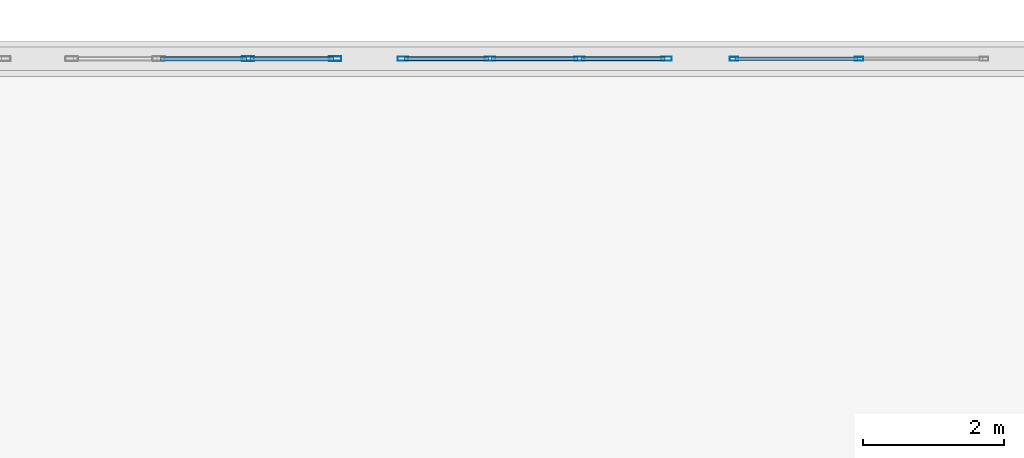
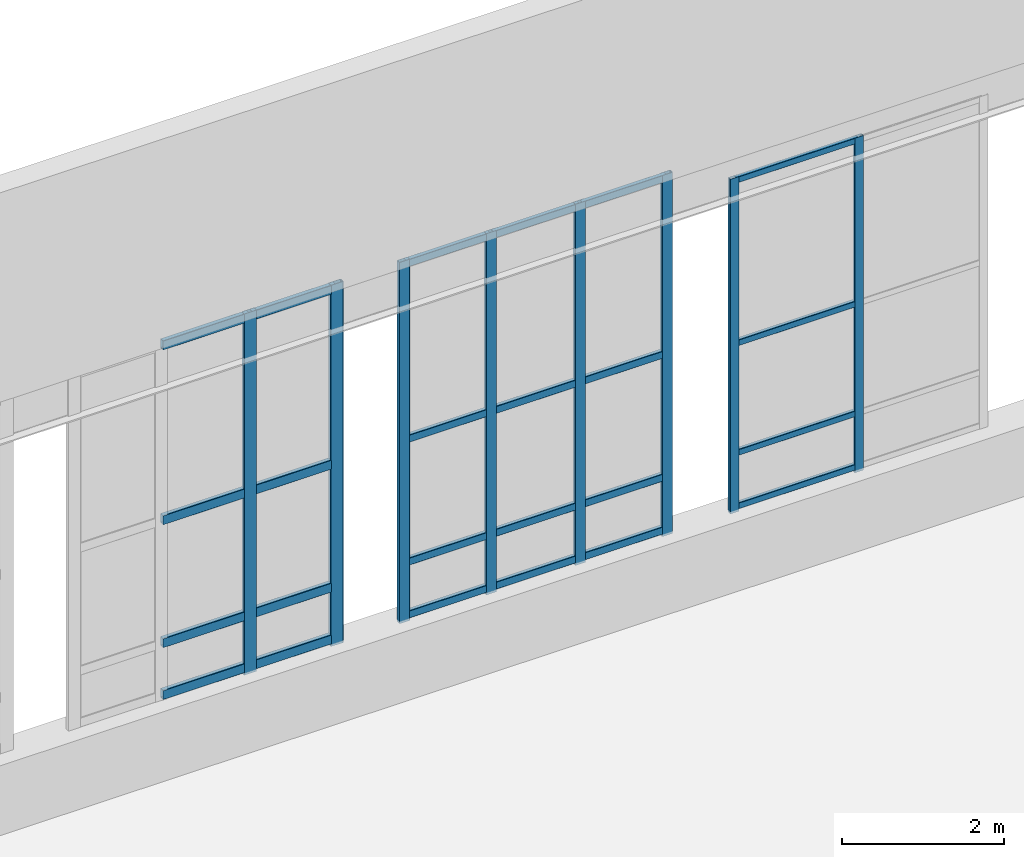
# One storey, part 151 of 197: 32 members, 3 elements without a shape of their own.
"""IFC4 building model written with IfcOpenShell, lengths in metres."""

from ifc_helpers import new_model, si_unit, derived_unit, direction, frame, origin, origin_2d, place, context, subcontext, project, spatial, hollow_rectangle, extrude, material, layer, layer_set, material_profile, profile_set, type_object, element, aggregate, save


model = new_model("IFC4")

# Units and contexts
model_context = context("Model", 3, precision=1e-05, world=origin(), true_north=direction((0.0, 1.0)))
body_context = subcontext(model_context, "Body", "Model", "MODEL_VIEW")
ifc_project = project(units=[si_unit("LENGTHUNIT", "METRE"), si_unit("AREAUNIT", "SQUARE_METRE"), si_unit("VOLUMEUNIT", "CUBIC_METRE"), si_unit("PLANEANGLEUNIT", "RADIAN"), si_unit("MASSUNIT", "GRAM", prefix="KILO"), derived_unit("THERMALTRANSMITTANCEUNIT", [(si_unit("POWERUNIT", "WATT"), 1), (si_unit("LENGTHUNIT", "METRE"), -2), (si_unit("THERMODYNAMICTEMPERATUREUNIT", "KELVIN"), -1)])], contexts=[model_context])

# Site, building, storey
site_placement = place(None, origin())
site = spatial("IfcSite", under=ifc_project, at=site_placement, CompositionType="ELEMENT")
building_placement = place(site_placement, origin())
building = spatial("IfcBuilding", under=site, at=building_placement, Name="Almenara Railside Exhibition Hall", CompositionType="ELEMENT")
storey_placement = place(building_placement, frame((0.0, 0.0, 5.39990234375)))
storey = spatial("IfcBuildingStorey", under=building, at=storey_placement, Name="L01", CompositionType="ELEMENT", Elevation=5.39990234375)

# Curtain wall, members
ifc_material_1 = material(Name="Bronze-anodised aluminium and low-E double glazing", Category="aluminium")
ifc_layer_1 = layer(ifc_material_1, 0.179931640625, Name="Bronze-anodised aluminium and low-E double glazing")
ifc_layer_set_1 = layer_set([ifc_layer_1], Name="Bronze-anodised aluminium and low-E double glazing")
curtain_wall_type_1 = type_object("IfcCurtainWallType", Name="Scroll Gable Standard Curtain Wall 3600x5000", PredefinedType="NOTDEFINED", material=ifc_layer_set_1)
curtain_wall_1_placement = place(storey_placement, origin())
curtain_wall_1 = element("IfcCurtainWall", 1, at=curtain_wall_1_placement, inside=storey, type_object=curtain_wall_type_1, Name="Curtain wall CW-G2-091", PredefinedType="NOTDEFINED")
ifc_material_2 = material(Name="Bronze-anodised aluminium", Category="aluminium")
ifc_material_profile_1 = material_profile(ifc_material_2, hollow_rectangle(XDim=0.054931640625, YDim=0.125, WallThickness=0.0029296875, InnerFilletRadius=0.0029296875, OuterFilletRadius=0.006103515625, at=origin_2d()), Name="ALU-MUL 55x125x3")
ifc_profile_set_1 = profile_set([ifc_material_profile_1], Name="Bronze-anodised aluminium")
member_type_1 = type_object("IfcMemberType", Name="Curtain Wall Mullion 55x125x3", PredefinedType="MULLION", material=ifc_profile_set_1)
member_1_placement = place(storey_placement, frame((172.927490234375, 132.0, 1.01513671875), z_axis=(0.0, 0.0, 1.0), x_axis=(0.0, 1.0, 0.0)))
member_1 = element("IfcMember", 2, at=member_1_placement, type_object=member_type_1, Name="CW-G2-091 mullion 1", PredefinedType="MULLION", context=body_context, shape_type="SweptSolid", body=[
    extrude(hollow_rectangle(XDim=0.054931640625, YDim=0.125, WallThickness=0.0029296875, InnerFilletRadius=0.0029296875, OuterFilletRadius=0.006103515625, at=origin_2d()), origin(), (0.0, 0.0, 1.0), 5.034912109375),
])
member_2_placement = place(storey_placement, frame((174.699951171875, 132.0, 1.01513671875), z_axis=(0.0, 0.0, 1.0), x_axis=(0.0, 1.0, 0.0)))
member_2 = element("IfcMember", 3, at=member_2_placement, type_object=member_type_1, Name="CW-G2-091 mullion 2", PredefinedType="MULLION", context=body_context, shape_type="SweptSolid", body=[
    extrude(hollow_rectangle(XDim=0.054931640625, YDim=0.125, WallThickness=0.0029296875, InnerFilletRadius=0.0029296875, OuterFilletRadius=0.006103515625, at=origin_2d()), origin(), (0.0, 0.0, 1.0), 5.034912109375),
])

ifc_layer_2 = layer(ifc_material_1, 0.179931640625, Name="Bronze-anodised aluminium and low-E double glazing")
ifc_layer_set_2 = layer_set([ifc_layer_2], Name="Bronze-anodised aluminium and low-E double glazing")
curtain_wall_type_2 = type_object("IfcCurtainWallType", Name="Scroll Gable Tall Curtain Wall 3800x5400", PredefinedType="NOTDEFINED", material=ifc_layer_set_2)
curtain_wall_2_placement = place(storey_placement, origin())
curtain_wall_2 = element("IfcCurtainWall", 4, at=curtain_wall_2_placement, inside=storey, type_object=curtain_wall_type_2, Name="Curtain wall CW-G1-090", PredefinedType="NOTDEFINED")
ifc_material_profile_2 = material_profile(ifc_material_2, hollow_rectangle(XDim=0.06005859375, YDim=0.14990234375, WallThickness=0.00341796875, InnerFilletRadius=0.00341796875, OuterFilletRadius=0.007080078125, at=origin_2d()), Name="ALU-MUL 60x150x3.5")
ifc_profile_set_2 = profile_set([ifc_material_profile_2], Name="Bronze-anodised aluminium")
member_type_2 = type_object("IfcMemberType", Name="Curtain Wall Mullion 60x150x3.5", PredefinedType="MULLION", material=ifc_profile_set_2)
member_3_placement = place(storey_placement, frame((168.22998046875, 132.0, 1.01513671875), z_axis=(0.0, 0.0, 1.0), x_axis=(0.0, 1.0, 0.0)))
member_3 = element("IfcMember", 5, at=member_3_placement, type_object=member_type_2, Name="CW-G1-090 mullion 1", PredefinedType="MULLION", context=body_context, shape_type="SweptSolid", body=[
    extrude(hollow_rectangle(XDim=0.06005859375, YDim=0.14990234375, WallThickness=0.00341796875, InnerFilletRadius=0.00341796875, OuterFilletRadius=0.007080078125, at=origin_2d()), origin(), (0.0, 0.0, 1.0), 5.43505859375),
])
member_4_placement = place(storey_placement, frame((169.466552734375, 132.0, 1.01513671875), z_axis=(0.0, 0.0, 1.0), x_axis=(0.0, 1.0, 0.0)))
member_4 = element("IfcMember", 6, at=member_4_placement, type_object=member_type_2, Name="CW-G1-090 mullion 2", PredefinedType="MULLION", context=body_context, shape_type="SweptSolid", body=[
    extrude(hollow_rectangle(XDim=0.06005859375, YDim=0.14990234375, WallThickness=0.00341796875, InnerFilletRadius=0.00341796875, OuterFilletRadius=0.007080078125, at=origin_2d()), origin(), (0.0, 0.0, 1.0), 5.43505859375),
])
member_5_placement = place(storey_placement, frame((170.7333984375, 132.0, 1.01513671875), z_axis=(0.0, 0.0, 1.0), x_axis=(0.0, 1.0, 0.0)))
member_5 = element("IfcMember", 7, at=member_5_placement, type_object=member_type_2, Name="CW-G1-090 mullion 3", PredefinedType="MULLION", context=body_context, shape_type="SweptSolid", body=[
    extrude(hollow_rectangle(XDim=0.06005859375, YDim=0.14990234375, WallThickness=0.00341796875, InnerFilletRadius=0.00341796875, OuterFilletRadius=0.007080078125, at=origin_2d()), origin(), (0.0, 0.0, 1.0), 5.43505859375),
])
member_6_placement = place(storey_placement, frame((171.969970703125, 132.0, 1.01513671875), z_axis=(0.0, 0.0, 1.0), x_axis=(0.0, 1.0, 0.0)))
member_6 = element("IfcMember", 8, at=member_6_placement, type_object=member_type_2, Name="CW-G1-090 mullion 4", PredefinedType="MULLION", context=body_context, shape_type="SweptSolid", body=[
    extrude(hollow_rectangle(XDim=0.06005859375, YDim=0.14990234375, WallThickness=0.00341796875, InnerFilletRadius=0.00341796875, OuterFilletRadius=0.007080078125, at=origin_2d()), origin(), (0.0, 0.0, 1.0), 5.43505859375),
])

curtain_wall_3_placement = place(storey_placement, origin())
curtain_wall_3 = element("IfcCurtainWall", 9, at=curtain_wall_3_placement, inside=storey, type_object=curtain_wall_type_2, Name="Curtain wall CW-G1-089", PredefinedType="NOTDEFINED")
ifc_material_profile_3 = material_profile(ifc_material_2, hollow_rectangle(XDim=0.06494140625, YDim=0.179931640625, WallThickness=0.00390625, InnerFilletRadius=0.00390625, OuterFilletRadius=0.008056640625, at=origin_2d()), Name="ALU-MUL 65x180x4")
ifc_profile_set_3 = profile_set([ifc_material_profile_3], Name="Bronze-anodised aluminium")
member_type_3 = type_object("IfcMemberType", Name="Curtain Wall Mullion 65x180x4", PredefinedType="MULLION", material=ifc_profile_set_3)
member_7_placement = place(storey_placement, frame((166.033447265625, 132.0, 1.01513671875), z_axis=(0.0, 0.0, 1.0), x_axis=(0.0, 1.0, 0.0)))
member_7 = element("IfcMember", 10, at=member_7_placement, type_object=member_type_3, Name="CW-G1-089 mullion 3", PredefinedType="MULLION", context=body_context, shape_type="SweptSolid", body=[
    extrude(hollow_rectangle(XDim=0.06494140625, YDim=0.179931640625, WallThickness=0.00390625, InnerFilletRadius=0.00390625, OuterFilletRadius=0.008056640625, at=origin_2d()), origin(), (0.0, 0.0, 1.0), 5.43505859375),
])
member_8_placement = place(storey_placement, frame((167.267578125, 132.0, 1.01513671875), z_axis=(0.0, 0.0, 1.0), x_axis=(0.0, 1.0, 0.0)))
member_8 = element("IfcMember", 11, at=member_8_placement, type_object=member_type_3, Name="CW-G1-089 mullion 4", PredefinedType="MULLION", context=body_context, shape_type="SweptSolid", body=[
    extrude(hollow_rectangle(XDim=0.06494140625, YDim=0.179931640625, WallThickness=0.00390625, InnerFilletRadius=0.00390625, OuterFilletRadius=0.008056640625, at=origin_2d()), origin(), (0.0, 0.0, 1.0), 5.43505859375),
])

# Member
ifc_material_profile_4 = material_profile(ifc_material_2, hollow_rectangle(XDim=0.054931640625, YDim=0.090087890625, WallThickness=0.0029296875, InnerFilletRadius=0.0029296875, OuterFilletRadius=0.006103515625, at=origin_2d()), Name="ALU-TRN 55x90x3")
ifc_profile_set_4 = profile_set([ifc_material_profile_4], Name="Bronze-anodised aluminium")
member_type_4 = type_object("IfcMemberType", Name="Curtain Wall Transom 55x90x3", PredefinedType="USERDEFINED", material=ifc_profile_set_4)
member_9_placement = place(storey_placement, frame((172.947021484375, 132.0, 1.09521484375), z_axis=(1.0, 0.0, 0.0), x_axis=(0.0, 1.0, 0.0)))
member_9 = element("IfcMember", 12, at=member_9_placement, type_object=member_type_4, Name="CW-G2-091 transom 1.1", ObjectType="TRANSOM", PredefinedType="USERDEFINED", context=body_context, shape_type="SweptSolid", body=[
    extrude(hollow_rectangle(XDim=0.054931640625, YDim=0.090087890625, WallThickness=0.0029296875, InnerFilletRadius=0.0029296875, OuterFilletRadius=0.006103515625, at=origin_2d()), origin(), (0.0, 0.0, 1.0), 1.7333984375),
])

member_10_placement = place(storey_placement, frame((172.947021484375, 132.0, 1.900146484375), z_axis=(1.0, 0.0, 0.0), x_axis=(0.0, 1.0, 0.0)))
member_10 = element("IfcMember", 13, at=member_10_placement, type_object=member_type_4, Name="CW-G2-091 transom 1.2", ObjectType="TRANSOM", PredefinedType="USERDEFINED", context=body_context, shape_type="SweptSolid", body=[
    extrude(hollow_rectangle(XDim=0.054931640625, YDim=0.090087890625, WallThickness=0.0029296875, InnerFilletRadius=0.0029296875, OuterFilletRadius=0.006103515625, at=origin_2d()), origin(), (0.0, 0.0, 1.0), 1.7333984375),
])

member_11_placement = place(storey_placement, frame((172.947021484375, 132.0, 3.550048828125), z_axis=(1.0, 0.0, 0.0), x_axis=(0.0, 1.0, 0.0)))
member_11 = element("IfcMember", 14, at=member_11_placement, type_object=member_type_4, Name="CW-G2-091 transom 1.3", ObjectType="TRANSOM", PredefinedType="USERDEFINED", context=body_context, shape_type="SweptSolid", body=[
    extrude(hollow_rectangle(XDim=0.054931640625, YDim=0.090087890625, WallThickness=0.0029296875, InnerFilletRadius=0.0029296875, OuterFilletRadius=0.006103515625, at=origin_2d()), origin(), (0.0, 0.0, 1.0), 1.7333984375),
])

member_12_placement = place(storey_placement, frame((172.947021484375, 132.0, 6.005126953125), z_axis=(1.0, 0.0, 0.0), x_axis=(0.0, 1.0, 0.0)))
member_12 = element("IfcMember", 15, at=member_12_placement, type_object=member_type_4, Name="CW-G2-091 transom 1.4", ObjectType="TRANSOM", PredefinedType="USERDEFINED", context=body_context, shape_type="SweptSolid", body=[
    extrude(hollow_rectangle(XDim=0.054931640625, YDim=0.090087890625, WallThickness=0.0029296875, InnerFilletRadius=0.0029296875, OuterFilletRadius=0.006103515625, at=origin_2d()), origin(), (0.0, 0.0, 1.0), 1.7333984375),
])

aggregate(curtain_wall_1, [member_1, member_2, member_9, member_10, member_11, member_12])

ifc_material_profile_5 = material_profile(ifc_material_2, hollow_rectangle(XDim=0.06005859375, YDim=0.110107421875, WallThickness=0.0029296875, InnerFilletRadius=0.0029296875, OuterFilletRadius=0.006103515625, at=origin_2d()), Name="ALU-TRN 60x110x3")
ifc_profile_set_5 = profile_set([ifc_material_profile_5], Name="Bronze-anodised aluminium")
member_type_5 = type_object("IfcMemberType", Name="Curtain Wall Transom 60x110x3", PredefinedType="USERDEFINED", material=ifc_profile_set_5)
member_13_placement = place(storey_placement, frame((168.251953125, 132.0, 1.10498046875), z_axis=(1.0, 0.0, 0.0), x_axis=(0.0, 1.0, 0.0)))
member_13 = element("IfcMember", 16, at=member_13_placement, type_object=member_type_5, Name="CW-G1-090 transom 1.1", ObjectType="TRANSOM", PredefinedType="USERDEFINED", context=body_context, shape_type="SweptSolid", body=[
    extrude(hollow_rectangle(XDim=0.06005859375, YDim=0.110107421875, WallThickness=0.0029296875, InnerFilletRadius=0.0029296875, OuterFilletRadius=0.006103515625, at=origin_2d()), origin(), (0.0, 0.0, 1.0), 1.192626953125),
])

member_14_placement = place(storey_placement, frame((168.251953125, 132.0, 1.900146484375), z_axis=(1.0, 0.0, 0.0), x_axis=(0.0, 1.0, 0.0)))
member_14 = element("IfcMember", 17, at=member_14_placement, type_object=member_type_5, Name="CW-G1-090 transom 1.2", ObjectType="TRANSOM", PredefinedType="USERDEFINED", context=body_context, shape_type="SweptSolid", body=[
    extrude(hollow_rectangle(XDim=0.06005859375, YDim=0.110107421875, WallThickness=0.0029296875, InnerFilletRadius=0.0029296875, OuterFilletRadius=0.006103515625, at=origin_2d()), origin(), (0.0, 0.0, 1.0), 1.192626953125),
])

member_15_placement = place(storey_placement, frame((168.251953125, 132.0, 3.75), z_axis=(1.0, 0.0, 0.0), x_axis=(0.0, 1.0, 0.0)))
member_15 = element("IfcMember", 18, at=member_15_placement, type_object=member_type_5, Name="CW-G1-090 transom 1.3", ObjectType="TRANSOM", PredefinedType="USERDEFINED", context=body_context, shape_type="SweptSolid", body=[
    extrude(hollow_rectangle(XDim=0.06005859375, YDim=0.110107421875, WallThickness=0.0029296875, InnerFilletRadius=0.0029296875, OuterFilletRadius=0.006103515625, at=origin_2d()), origin(), (0.0, 0.0, 1.0), 1.192626953125),
])

member_16_placement = place(storey_placement, frame((168.251953125, 132.0, 6.39501953125), z_axis=(1.0, 0.0, 0.0), x_axis=(0.0, 1.0, 0.0)))
member_16 = element("IfcMember", 19, at=member_16_placement, type_object=member_type_5, Name="CW-G1-090 transom 1.4", ObjectType="TRANSOM", PredefinedType="USERDEFINED", context=body_context, shape_type="SweptSolid", body=[
    extrude(hollow_rectangle(XDim=0.06005859375, YDim=0.110107421875, WallThickness=0.0029296875, InnerFilletRadius=0.0029296875, OuterFilletRadius=0.006103515625, at=origin_2d()), origin(), (0.0, 0.0, 1.0), 1.192626953125),
])

member_17_placement = place(storey_placement, frame((169.48876953125, 132.0, 1.10498046875), z_axis=(1.0, 0.0, 0.0), x_axis=(0.0, 1.0, 0.0)))
member_17 = element("IfcMember", 20, at=member_17_placement, type_object=member_type_5, Name="CW-G1-090 transom 2.1", ObjectType="TRANSOM", PredefinedType="USERDEFINED", context=body_context, shape_type="SweptSolid", body=[
    extrude(hollow_rectangle(XDim=0.06005859375, YDim=0.110107421875, WallThickness=0.0029296875, InnerFilletRadius=0.0029296875, OuterFilletRadius=0.006103515625, at=origin_2d()), origin(), (0.0, 0.0, 1.0), 1.22265625),
])

member_18_placement = place(storey_placement, frame((169.48876953125, 132.0, 1.900146484375), z_axis=(1.0, 0.0, 0.0), x_axis=(0.0, 1.0, 0.0)))
member_18 = element("IfcMember", 21, at=member_18_placement, type_object=member_type_5, Name="CW-G1-090 transom 2.2", ObjectType="TRANSOM", PredefinedType="USERDEFINED", context=body_context, shape_type="SweptSolid", body=[
    extrude(hollow_rectangle(XDim=0.06005859375, YDim=0.110107421875, WallThickness=0.0029296875, InnerFilletRadius=0.0029296875, OuterFilletRadius=0.006103515625, at=origin_2d()), origin(), (0.0, 0.0, 1.0), 1.22265625),
])

member_19_placement = place(storey_placement, frame((169.48876953125, 132.0, 3.75), z_axis=(1.0, 0.0, 0.0), x_axis=(0.0, 1.0, 0.0)))
member_19 = element("IfcMember", 22, at=member_19_placement, type_object=member_type_5, Name="CW-G1-090 transom 2.3", ObjectType="TRANSOM", PredefinedType="USERDEFINED", context=body_context, shape_type="SweptSolid", body=[
    extrude(hollow_rectangle(XDim=0.06005859375, YDim=0.110107421875, WallThickness=0.0029296875, InnerFilletRadius=0.0029296875, OuterFilletRadius=0.006103515625, at=origin_2d()), origin(), (0.0, 0.0, 1.0), 1.22265625),
])

member_20_placement = place(storey_placement, frame((169.48876953125, 132.0, 6.39501953125), z_axis=(1.0, 0.0, 0.0), x_axis=(0.0, 1.0, 0.0)))
member_20 = element("IfcMember", 23, at=member_20_placement, type_object=member_type_5, Name="CW-G1-090 transom 2.4", ObjectType="TRANSOM", PredefinedType="USERDEFINED", context=body_context, shape_type="SweptSolid", body=[
    extrude(hollow_rectangle(XDim=0.06005859375, YDim=0.110107421875, WallThickness=0.0029296875, InnerFilletRadius=0.0029296875, OuterFilletRadius=0.006103515625, at=origin_2d()), origin(), (0.0, 0.0, 1.0), 1.22265625),
])

member_21_placement = place(storey_placement, frame((170.75537109375, 132.0, 1.10498046875), z_axis=(1.0, 0.0, 0.0), x_axis=(0.0, 1.0, 0.0)))
member_21 = element("IfcMember", 24, at=member_21_placement, type_object=member_type_5, Name="CW-G1-090 transom 3.1", ObjectType="TRANSOM", PredefinedType="USERDEFINED", context=body_context, shape_type="SweptSolid", body=[
    extrude(hollow_rectangle(XDim=0.06005859375, YDim=0.110107421875, WallThickness=0.0029296875, InnerFilletRadius=0.0029296875, OuterFilletRadius=0.006103515625, at=origin_2d()), origin(), (0.0, 0.0, 1.0), 1.192626953125),
])

member_22_placement = place(storey_placement, frame((170.75537109375, 132.0, 1.900146484375), z_axis=(1.0, 0.0, 0.0), x_axis=(0.0, 1.0, 0.0)))
member_22 = element("IfcMember", 25, at=member_22_placement, type_object=member_type_5, Name="CW-G1-090 transom 3.2", ObjectType="TRANSOM", PredefinedType="USERDEFINED", context=body_context, shape_type="SweptSolid", body=[
    extrude(hollow_rectangle(XDim=0.06005859375, YDim=0.110107421875, WallThickness=0.0029296875, InnerFilletRadius=0.0029296875, OuterFilletRadius=0.006103515625, at=origin_2d()), origin(), (0.0, 0.0, 1.0), 1.192626953125),
])

member_23_placement = place(storey_placement, frame((170.75537109375, 132.0, 3.75), z_axis=(1.0, 0.0, 0.0), x_axis=(0.0, 1.0, 0.0)))
member_23 = element("IfcMember", 26, at=member_23_placement, type_object=member_type_5, Name="CW-G1-090 transom 3.3", ObjectType="TRANSOM", PredefinedType="USERDEFINED", context=body_context, shape_type="SweptSolid", body=[
    extrude(hollow_rectangle(XDim=0.06005859375, YDim=0.110107421875, WallThickness=0.0029296875, InnerFilletRadius=0.0029296875, OuterFilletRadius=0.006103515625, at=origin_2d()), origin(), (0.0, 0.0, 1.0), 1.192626953125),
])

member_24_placement = place(storey_placement, frame((170.75537109375, 132.0, 6.39501953125), z_axis=(1.0, 0.0, 0.0), x_axis=(0.0, 1.0, 0.0)))
member_24 = element("IfcMember", 27, at=member_24_placement, type_object=member_type_5, Name="CW-G1-090 transom 3.4", ObjectType="TRANSOM", PredefinedType="USERDEFINED", context=body_context, shape_type="SweptSolid", body=[
    extrude(hollow_rectangle(XDim=0.06005859375, YDim=0.110107421875, WallThickness=0.0029296875, InnerFilletRadius=0.0029296875, OuterFilletRadius=0.006103515625, at=origin_2d()), origin(), (0.0, 0.0, 1.0), 1.192626953125),
])

aggregate(curtain_wall_2, [member_3, member_4, member_5, member_6, member_13, member_14, member_15, member_16, member_17, member_18, member_19, member_20, member_21, member_22, member_23, member_24])

ifc_material_profile_6 = material_profile(ifc_material_2, hollow_rectangle(XDim=0.06494140625, YDim=0.139892578125, WallThickness=0.00341796875, InnerFilletRadius=0.00341796875, OuterFilletRadius=0.007080078125, at=origin_2d()), Name="ALU-TRN 65x140x3.5")
ifc_profile_set_6 = profile_set([ifc_material_profile_6], Name="Bronze-anodised aluminium")
member_type_6 = type_object("IfcMemberType", Name="Curtain Wall Transom 65x140x3.5", PredefinedType="USERDEFINED", material=ifc_profile_set_6)
member_25_placement = place(storey_placement, frame((164.791259765625, 132.0, 1.1201171875), z_axis=(1.0, 0.0, 0.0), x_axis=(0.0, 1.0, 0.0)))
member_25 = element("IfcMember", 28, at=member_25_placement, type_object=member_type_6, Name="CW-G1-089 transom 2.1", ObjectType="TRANSOM", PredefinedType="USERDEFINED", context=body_context, shape_type="SweptSolid", body=[
    extrude(hollow_rectangle(XDim=0.06494140625, YDim=0.139892578125, WallThickness=0.00341796875, InnerFilletRadius=0.00341796875, OuterFilletRadius=0.007080078125, at=origin_2d()), origin(), (0.0, 0.0, 1.0), 1.217529296875),
])

member_26_placement = place(storey_placement, frame((164.791259765625, 132.0, 1.900146484375), z_axis=(1.0, 0.0, 0.0), x_axis=(0.0, 1.0, 0.0)))
member_26 = element("IfcMember", 29, at=member_26_placement, type_object=member_type_6, Name="CW-G1-089 transom 2.2", ObjectType="TRANSOM", PredefinedType="USERDEFINED", context=body_context, shape_type="SweptSolid", body=[
    extrude(hollow_rectangle(XDim=0.06494140625, YDim=0.139892578125, WallThickness=0.00341796875, InnerFilletRadius=0.00341796875, OuterFilletRadius=0.007080078125, at=origin_2d()), origin(), (0.0, 0.0, 1.0), 1.217529296875),
])

member_27_placement = place(storey_placement, frame((164.791259765625, 132.0, 3.75), z_axis=(1.0, 0.0, 0.0), x_axis=(0.0, 1.0, 0.0)))
member_27 = element("IfcMember", 30, at=member_27_placement, type_object=member_type_6, Name="CW-G1-089 transom 2.3", ObjectType="TRANSOM", PredefinedType="USERDEFINED", context=body_context, shape_type="SweptSolid", body=[
    extrude(hollow_rectangle(XDim=0.06494140625, YDim=0.139892578125, WallThickness=0.00341796875, InnerFilletRadius=0.00341796875, OuterFilletRadius=0.007080078125, at=origin_2d()), origin(), (0.0, 0.0, 1.0), 1.217529296875),
])

member_28_placement = place(storey_placement, frame((164.791259765625, 132.0, 6.380126953125), z_axis=(1.0, 0.0, 0.0), x_axis=(0.0, 1.0, 0.0)))
member_28 = element("IfcMember", 31, at=member_28_placement, type_object=member_type_6, Name="CW-G1-089 transom 2.4", ObjectType="TRANSOM", PredefinedType="USERDEFINED", context=body_context, shape_type="SweptSolid", body=[
    extrude(hollow_rectangle(XDim=0.06494140625, YDim=0.139892578125, WallThickness=0.00341796875, InnerFilletRadius=0.00341796875, OuterFilletRadius=0.007080078125, at=origin_2d()), origin(), (0.0, 0.0, 1.0), 1.217529296875),
])

member_29_placement = place(storey_placement, frame((166.057861328125, 132.0, 1.1201171875), z_axis=(1.0, 0.0, 0.0), x_axis=(0.0, 1.0, 0.0)))
member_29 = element("IfcMember", 32, at=member_29_placement, type_object=member_type_6, Name="CW-G1-089 transom 3.1", ObjectType="TRANSOM", PredefinedType="USERDEFINED", context=body_context, shape_type="SweptSolid", body=[
    extrude(hollow_rectangle(XDim=0.06494140625, YDim=0.139892578125, WallThickness=0.00341796875, InnerFilletRadius=0.00341796875, OuterFilletRadius=0.007080078125, at=origin_2d()), origin(), (0.0, 0.0, 1.0), 1.18505859375),
])

member_30_placement = place(storey_placement, frame((166.057861328125, 132.0, 1.900146484375), z_axis=(1.0, 0.0, 0.0), x_axis=(0.0, 1.0, 0.0)))
member_30 = element("IfcMember", 33, at=member_30_placement, type_object=member_type_6, Name="CW-G1-089 transom 3.2", ObjectType="TRANSOM", PredefinedType="USERDEFINED", context=body_context, shape_type="SweptSolid", body=[
    extrude(hollow_rectangle(XDim=0.06494140625, YDim=0.139892578125, WallThickness=0.00341796875, InnerFilletRadius=0.00341796875, OuterFilletRadius=0.007080078125, at=origin_2d()), origin(), (0.0, 0.0, 1.0), 1.18505859375),
])

member_31_placement = place(storey_placement, frame((166.057861328125, 132.0, 3.75), z_axis=(1.0, 0.0, 0.0), x_axis=(0.0, 1.0, 0.0)))
member_31 = element("IfcMember", 34, at=member_31_placement, type_object=member_type_6, Name="CW-G1-089 transom 3.3", ObjectType="TRANSOM", PredefinedType="USERDEFINED", context=body_context, shape_type="SweptSolid", body=[
    extrude(hollow_rectangle(XDim=0.06494140625, YDim=0.139892578125, WallThickness=0.00341796875, InnerFilletRadius=0.00341796875, OuterFilletRadius=0.007080078125, at=origin_2d()), origin(), (0.0, 0.0, 1.0), 1.18505859375),
])

member_32_placement = place(storey_placement, frame((166.057861328125, 132.0, 6.380126953125), z_axis=(1.0, 0.0, 0.0), x_axis=(0.0, 1.0, 0.0)))
member_32 = element("IfcMember", 35, at=member_32_placement, type_object=member_type_6, Name="CW-G1-089 transom 3.4", ObjectType="TRANSOM", PredefinedType="USERDEFINED", context=body_context, shape_type="SweptSolid", body=[
    extrude(hollow_rectangle(XDim=0.06494140625, YDim=0.139892578125, WallThickness=0.00341796875, InnerFilletRadius=0.00341796875, OuterFilletRadius=0.007080078125, at=origin_2d()), origin(), (0.0, 0.0, 1.0), 1.18505859375),
])

aggregate(curtain_wall_3, [member_7, member_8, member_25, member_26, member_27, member_28, member_29, member_30, member_31, member_32])

save(model, "model.ifc")
